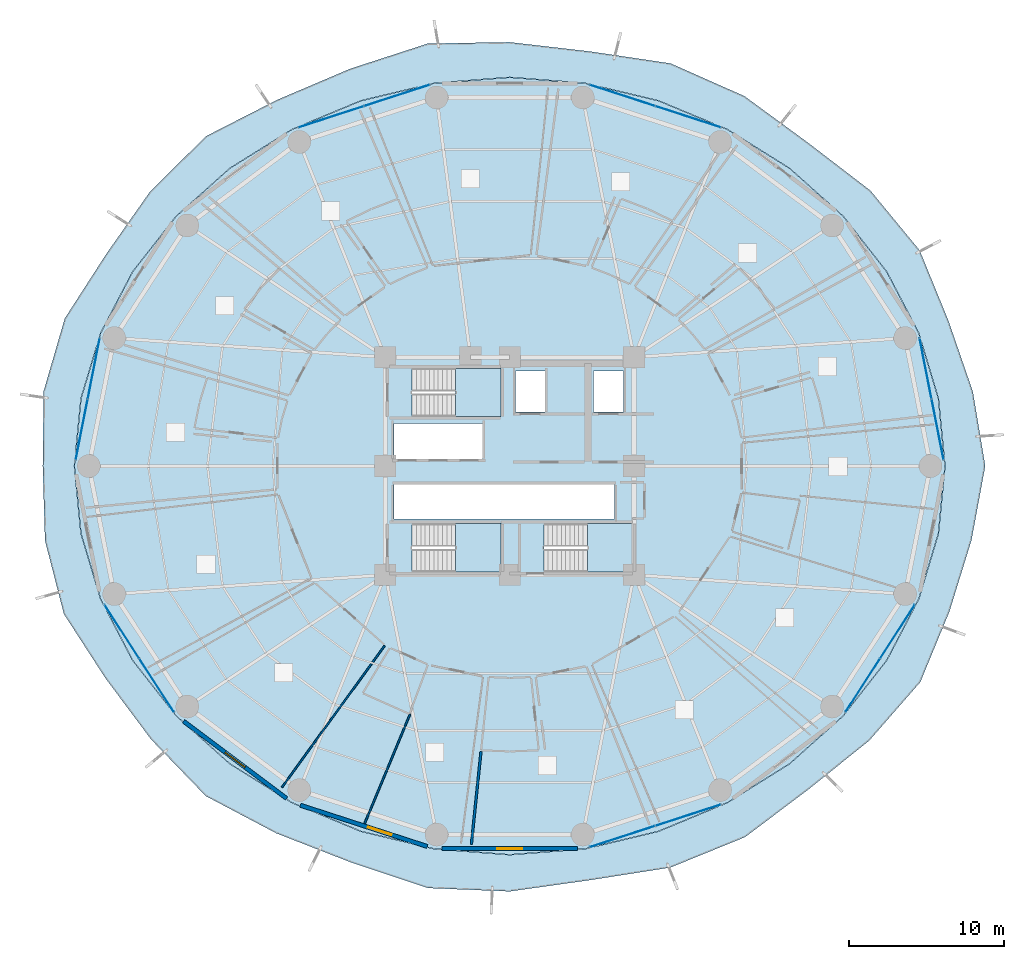
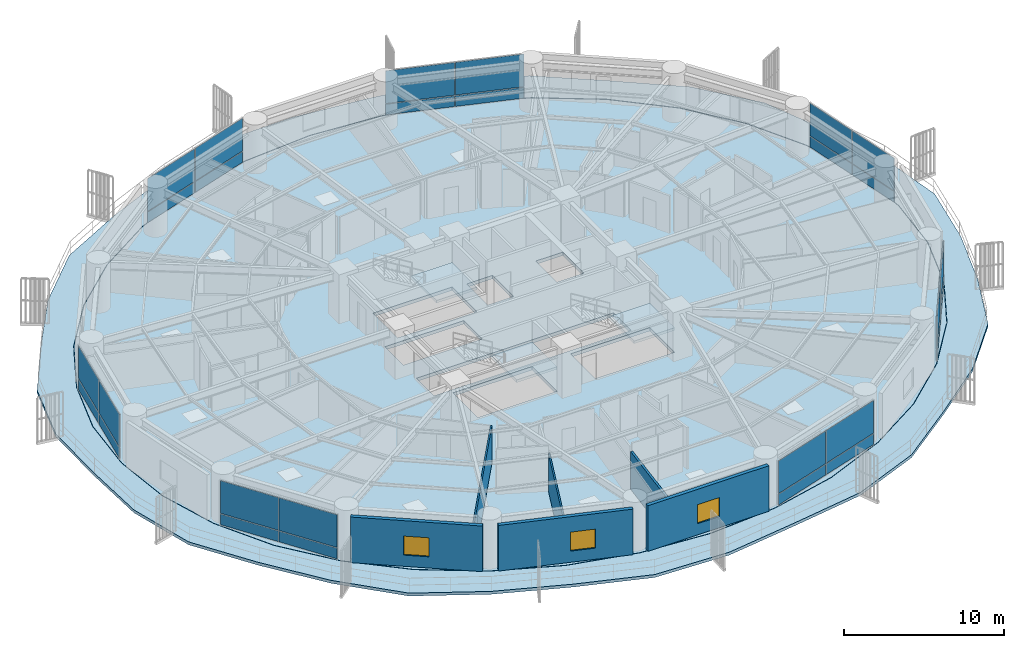
# One storey, part 22 of 32: 28 plates, 6 walls, 5 slabs, 3 windows, 3 openings, 10 elements without a shape of their own.
"""IFC4 building model written with IfcOpenShell, lengths in metres."""

import ifcopenshell
import ifcopenshell.guid

model = None  # the IFC model being written
_history = None  # IfcOwnerHistory: only IFC2X3 demands one
_inside = {}  # id of a spatial element -> (the spatial element, [elements in it])
_under = {}  # id of a project, library or spatial element -> (it, [spatial elements below it])
_declared = {}  # id of a project -> (the project, [libraries it declares])
_typed = {}  # id of a type object -> (the type object, [elements of that type])
_made_of = {}  # id of a material, layer set ... -> (it, [elements and type objects made of it])


def new_model(schema):
    """Start an empty IFC model of exactly this schema.

    Asked for "IFC4X3", IfcOpenShell would pick the latest addendum, in which some entities
    have other attributes; the version numbers below select the first issue.
    IFC2X3 requires an IfcOwnerHistory on every rooted entity: one is made here for all.
    """
    global model, _history
    if schema == "IFC4X3":
        model = ifcopenshell.file(schema_version=(4, 3, 0, 0))
    else:
        model = ifcopenshell.file(schema=schema)
    _inside.clear()
    _under.clear()
    _declared.clear()
    _typed.clear()
    _made_of.clear()
    _history = None
    if model.schema == "IFC2X3":
        org = make("IfcOrganization", Name="unknown")
        user = make(
            "IfcPersonAndOrganization",
            ThePerson=make("IfcPerson", FamilyName="unknown"),
            TheOrganization=org,
        )
        app = make(
            "IfcApplication",
            ApplicationDeveloper=org,
            Version="unknown",
            ApplicationFullName="unknown",
            ApplicationIdentifier="unknown",
        )
        _history = make(
            "IfcOwnerHistory",
            OwningUser=user,
            OwningApplication=app,
            ChangeAction="ADDED",
            CreationDate=0,
        )
    return model


def make(cls, **values):
    """One entity of the class cls with the attributes given. An attribute that is None is left unset."""
    return model.create_entity(
        cls, **{name: value for name, value in values.items() if value is not None}
    )


def rooted(cls, **values):
    """An entity with a GlobalId (a new one), such as an element, a storey or a relation."""
    return make(cls, GlobalId=ifcopenshell.guid.new(), OwnerHistory=_history, **values)


def si_unit(unit_type, name, prefix=None):
    """IfcSIUnit, for example si_unit("LENGTHUNIT", "METRE", prefix="MILLI")."""
    return make("IfcSIUnit", UnitType=unit_type, Prefix=prefix, Name=name)


def assignment(units):
    """IfcUnitAssignment: the units of a project."""
    return None if units is None else make("IfcUnitAssignment", Units=units)


def point(xyz):
    """IfcCartesianPoint."""
    return None if xyz is None else make("IfcCartesianPoint", Coordinates=xyz)


def direction(xyz):
    """IfcDirection."""
    return None if xyz is None else make("IfcDirection", DirectionRatios=xyz)


def frame(location, z_axis=None, x_axis=None):
    """IfcAxis2Placement3D, a coordinate frame: its origin and axes. An axis left out is left unset."""
    return make(
        "IfcAxis2Placement3D",
        Location=point(location),
        Axis=direction(z_axis),
        RefDirection=direction(x_axis),
    )


def frame_2d(location, x_axis=None):
    """IfcAxis2Placement2D, a coordinate frame in the plane: its origin and x axis."""
    return make(
        "IfcAxis2Placement2D", Location=point(location), RefDirection=direction(x_axis)
    )


def origin():
    """The frame at (0, 0, 0) with its axes left unset."""
    return frame((0.0, 0.0, 0.0))


def origin_2d():
    """The frame at (0, 0) in the plane with its x axis left unset."""
    return frame_2d((0.0, 0.0))


def place(relative_to, where):
    """IfcLocalPlacement: puts the frame where relative to a parent placement (None: the world)."""
    return make(
        "IfcLocalPlacement", PlacementRelTo=relative_to, RelativePlacement=where
    )


def context(
    kind, dimensions, precision=None, world=None, true_north=None, identifier=None
):
    """IfcGeometricRepresentationContext, for example the 3D "Model" context."""
    return make(
        "IfcGeometricRepresentationContext",
        ContextIdentifier=identifier,
        ContextType=kind,
        CoordinateSpaceDimension=dimensions,
        Precision=precision,
        WorldCoordinateSystem=world,
        TrueNorth=true_north,
    )


def subcontext(parent, identifier, kind, view, scale=None):
    """IfcGeometricRepresentationSubContext, for example "Body" below "Model"."""
    return make(
        "IfcGeometricRepresentationSubContext",
        ContextIdentifier=identifier,
        ContextType=kind,
        ParentContext=parent,
        TargetScale=scale,
        TargetView=view,
    )


def project(units=None, contexts=None):
    """IfcProject with its units and contexts."""
    return rooted(
        "IfcProject",
        Name="project",
        RepresentationContexts=contexts,
        UnitsInContext=assignment(units),
    )


def spatial(cls, under=None, at=None, **own):
    """A site, building, storey or space (cls), placed at a placement, below another one or the project."""
    s = rooted(cls, ObjectPlacement=at, **own)
    if under is not None:
        _under.setdefault(under.id(), (under, []))[1].append(s)
    return s


def polyline(points):
    """IfcPolyline through the points."""
    return make("IfcPolyline", Points=[point(p) for p in points])


def profile(cls, at=None, kind="AREA", **sizes):
    """A parametric profile (cls). Its sizes go by their IFC names, for example OverallWidth=200.0."""
    return make(cls, ProfileType=kind, Position=at, **sizes)


def rectangle(**sizes):
    """IfcRectangleProfileDef."""
    return profile("IfcRectangleProfileDef", **sizes)


def outline(outer, holes=None, kind="AREA"):
    """IfcArbitraryClosedProfileDef: a profile drawn as a closed curve; with holes, ...WithVoids."""
    if holes is None:
        return make("IfcArbitraryClosedProfileDef", ProfileType=kind, OuterCurve=outer)
    return make(
        "IfcArbitraryProfileDefWithVoids",
        ProfileType=kind,
        OuterCurve=outer,
        InnerCurves=holes,
    )


def extrude(swept, where, along, depth):
    """IfcExtrudedAreaSolid: the profile swept, set in the frame where, extruded along a direction by depth."""
    return make(
        "IfcExtrudedAreaSolid",
        SweptArea=swept,
        Position=where,
        ExtrudedDirection=direction(along),
        Depth=depth,
    )


def shape(context_of_items, identifier, shape_type, items):
    """IfcShapeRepresentation: the items that make up one representation, for example the "Body"."""
    return make(
        "IfcShapeRepresentation",
        ContextOfItems=context_of_items,
        RepresentationIdentifier=identifier,
        RepresentationType=shape_type,
        Items=items,
    )


def source(mapping_origin, context_of_items, identifier, shape_type, items):
    """IfcRepresentationMap: a shape defined once, which mapped items show again and again."""
    return make(
        "IfcRepresentationMap",
        MappingOrigin=mapping_origin,
        MappedRepresentation=shape(context_of_items, identifier, shape_type, items),
    )


def transform(
    local_origin,
    x_axis=None,
    y_axis=None,
    z_axis=None,
    scale=None,
    scale2=None,
    scale3=None,
    uniform=True,
):
    """IfcCartesianTransformationOperator3D, or its non-uniform kind. x_axis, y_axis, z_axis: its Axis1, 2, 3."""
    if uniform:
        return make(
            "IfcCartesianTransformationOperator3D",
            Axis1=direction(x_axis),
            Axis2=direction(y_axis),
            LocalOrigin=point(local_origin),
            Scale=scale,
            Axis3=direction(z_axis),
        )
    return make(
        "IfcCartesianTransformationOperator3DnonUniform",
        Axis1=direction(x_axis),
        Axis2=direction(y_axis),
        LocalOrigin=point(local_origin),
        Scale=scale,
        Axis3=direction(z_axis),
        Scale2=scale2,
        Scale3=scale3,
    )


def mapped(mapping_source, mapping_target):
    """IfcMappedItem: shows the shape of a source again, moved by a transform."""
    return make(
        "IfcMappedItem", MappingSource=mapping_source, MappingTarget=mapping_target
    )


def material(Name=None, Category=None):
    """IfcMaterial."""
    return make("IfcMaterial", Name=Name, Category=Category)


def layer(
    of_material, thickness, ventilated=None, Name=None, Category=None, Priority=None
):
    """IfcMaterialLayer: one layer of a wall or slab, of a material (None: an air gap)."""
    return make(
        "IfcMaterialLayer",
        Material=of_material,
        LayerThickness=thickness,
        IsVentilated=ventilated,
        Name=Name,
        Category=Category,
        Priority=Priority,
    )


def layer_set(layers, Name=None):
    """IfcMaterialLayerSet."""
    return make("IfcMaterialLayerSet", MaterialLayers=layers, LayerSetName=Name)


def made_of(thing, what):
    """Note that an element or type object is made of a material, layer set ...; save() writes the relation."""
    if what is not None:
        _made_of.setdefault(what.id(), (what, []))[1].append(thing)
    return thing


def type_object(cls, material=None, **own):
    """A type object (cls), such as IfcWallType, which elements share."""
    return made_of(rooted(cls, **own), material)


def element(
    cls,
    number,
    at=None,
    inside=None,
    cuts=None,
    type_object=None,
    material=None,
    context=None,
    identifier="Body",
    shape_type=None,
    held_by="IfcProductDefinitionShape",
    body=None,
    shapes=None,
    **own,
):
    """One element of the class cls, such as IfcWall. Its Tag is "e" and its number.

    at: its placement. inside: the storey or other place that contains it. cuts: it is an
    opening in that element (IfcRelVoidsElement). A single representation is given by context,
    identifier, shape_type and body (its items); several are given by shapes. held_by: the class
    of the entity that holds the representations. save() writes the other relations.
    """
    e = rooted(cls, Tag="e%d" % number, ObjectPlacement=at, **own)
    if body is not None:
        shapes = [shape(context, identifier, shape_type, body)]
    if shapes is not None:
        e.Representation = make(held_by, Representations=shapes)
    if inside is not None:
        _inside.setdefault(inside.id(), (inside, []))[1].append(e)
    if cuts is not None:
        rooted(
            "IfcRelVoidsElement", RelatingBuildingElement=cuts, RelatedOpeningElement=e
        )
    if type_object is not None:
        _typed.setdefault(type_object.id(), (type_object, []))[1].append(e)
    return made_of(e, material)


def fill(opening, filler):
    """IfcRelFillsElement: the door or window that sits in an opening."""
    return rooted(
        "IfcRelFillsElement",
        RelatingOpeningElement=opening,
        RelatedBuildingElement=filler,
    )


def aggregate(whole, parts):
    """IfcRelAggregates: a whole, such as a stair, and the parts it consists of."""
    return rooted("IfcRelAggregates", RelatingObject=whole, RelatedObjects=parts)


def save(model, path):
    """Write the relations noted so far, then the file.

    IfcRelAggregates (storeys below a building ...), IfcRelContainedInSpatialStructure (elements
    in a storey), IfcRelDefinesByType, IfcRelAssociatesMaterial and IfcRelDeclares: one each for
    every whole, place, type object, material and project.
    """
    for whole, parts in _under.values():
        aggregate(whole, parts)
    for where, things in _inside.values():
        rooted(
            "IfcRelContainedInSpatialStructure",
            RelatedElements=things,
            RelatingStructure=where,
        )
    for kind, things in _typed.values():
        rooted("IfcRelDefinesByType", RelatedObjects=things, RelatingType=kind)
    for what, things in _made_of.values():
        rooted("IfcRelAssociatesMaterial", RelatedObjects=things, RelatingMaterial=what)
    for by, libraries in _declared.values():
        rooted("IfcRelDeclares", RelatingContext=by, RelatedDefinitions=libraries)
    model.write(path)


model = new_model("IFC4")

# Units and contexts
model_context = context("Model", 3, precision=1e-05, world=origin(), true_north=direction((0.0, 1.0)))
body_context = subcontext(model_context, "Body", "Model", "MODEL_VIEW")
ifc_project = project(units=[si_unit("LENGTHUNIT", "METRE"), si_unit("AREAUNIT", "SQUARE_METRE"), si_unit("VOLUMEUNIT", "CUBIC_METRE"), si_unit("PLANEANGLEUNIT", "RADIAN"), si_unit("MASSUNIT", "GRAM", prefix="KILO")], contexts=[model_context])

# Site, building, storey
site_placement = place(None, origin())
site = spatial("IfcSite", under=ifc_project, at=site_placement, CompositionType="ELEMENT")
building_placement = place(site_placement, origin())
building = spatial("IfcBuilding", under=site, at=building_placement, Name="Kelanora Arch Commons", CompositionType="ELEMENT")
storey_placement = place(building_placement, frame((0.0, 0.0, 52.5)))
storey = spatial("IfcBuildingStorey", under=building, at=storey_placement, Name="L13", CompositionType="ELEMENT", Elevation=52.5)

# Stair, slab
ifc_material_1 = material(Name="Concrete C40/50", Category="concrete")
stair_type = type_object("IfcStairType", Name="STR-DL-375", PredefinedType="HALF_TURN_STAIR", material=ifc_material_1)
stair_1_placement = place(storey_placement, origin())
stair_1 = element("IfcStair", 1, at=stair_1_placement, inside=storey, type_object=stair_type, Name="L13 ST-T1", PredefinedType="HALF_TURN_STAIR")
ifc_layer_1 = layer(ifc_material_1, 0.199951171875)
ifc_layer_set_1 = layer_set([ifc_layer_1], Name="Concrete C40/50")
slab_type_1 = type_object("IfcSlabType", Name="SLB-STAIR-LND", PredefinedType="LANDING", material=ifc_layer_set_1)
slab_1_placement = place(storey_placement, frame((0.0, 0.0, 1.675048828125)))
slab_1 = element("IfcSlab", 2, at=slab_1_placement, type_object=slab_type_1, Name="ST-T1 landing 1", PredefinedType="LANDING", context=body_context, shape_type="SweptSolid", body=[
    extrude(outline(polyline([(70.52001953125, 61.179931640625), (73.43994140625, 61.179931640625), (73.43994140625, 64.2900390625), (70.52001953125, 64.2900390625), (70.52001953125, 61.179931640625)])), origin(), (0.0, 0.0, 1.0), 0.199951171875),
])
aggregate(stair_1, [slab_1])

stair_2_placement = place(storey_placement, origin())
stair_2 = element("IfcStair", 3, at=stair_2_placement, inside=storey, type_object=stair_type, Name="L13 ST-T2", PredefinedType="HALF_TURN_STAIR")
slab_2_placement = place(storey_placement, frame((0.0, 0.0, 1.675048828125)))
slab_2 = element("IfcSlab", 4, at=slab_2_placement, type_object=slab_type_1, Name="ST-T2 landing 1", PredefinedType="LANDING", context=body_context, shape_type="SweptSolid", body=[
    extrude(outline(polyline([(79.0, 51.179931640625), (81.919921875, 51.179931640625), (81.919921875, 54.2900390625), (79.0, 54.2900390625), (79.0, 51.179931640625)])), origin(), (0.0, 0.0, 1.0), 0.199951171875),
])
aggregate(stair_2, [slab_2])

stair_3_placement = place(storey_placement, origin())
stair_3 = element("IfcStair", 5, at=stair_3_placement, inside=storey, type_object=stair_type, Name="L13 ST-T3", PredefinedType="HALF_TURN_STAIR")
slab_3_placement = place(storey_placement, frame((0.0, 0.0, 1.675048828125)))
slab_3 = element("IfcSlab", 6, at=slab_3_placement, type_object=slab_type_1, Name="ST-T3 landing 1", PredefinedType="LANDING", context=body_context, shape_type="SweptSolid", body=[
    extrude(outline(polyline([(70.52001953125, 51.179931640625), (73.43994140625, 51.179931640625), (73.43994140625, 54.2900390625), (70.52001953125, 54.2900390625), (70.52001953125, 51.179931640625)])), origin(), (0.0, 0.0, 1.0), 0.199951171875),
])
aggregate(stair_3, [slab_3])

# Slabs
ifc_layer_2 = layer(ifc_material_1, 0.260009765625)
ifc_layer_set_2 = layer_set([ifc_layer_2], Name="Concrete C40/50")
slab_type_2 = type_object("IfcSlabType", Name="SLB-TWR-TYP", PredefinedType="FLOOR", material=ifc_layer_set_2)
slab_4_placement = place(storey_placement, frame((0.0, 0.0, -0.260009765625)))
element("IfcSlab", 7, at=slab_4_placement, inside=storey, type_object=slab_type_2, Name="Tower Floor Slab L13", PredefinedType="FLOOR", context=body_context, shape_type="SweptSolid", body=[
    extrude(outline(polyline([(102.0, 58.0), (101.57470703125, 62.34130859375), (100.311279296875, 66.550537109375), (98.248779296875, 70.5), (95.44921875, 74.069580078125), (91.998046875, 77.151123046875), (88.0, 79.650634765625), (83.57666015625, 81.4921875), (78.862060546875, 82.6201171875), (74.0, 83.0), (69.137939453125, 82.6201171875), (64.42333984375, 81.4921875), (60.0, 79.650634765625), (56.001953125, 77.151123046875), (52.55078125, 74.069580078125), (49.751220703125, 70.5), (47.688720703125, 66.550537109375), (46.42529296875, 62.34130859375), (46.0, 58.0), (46.42529296875, 53.65869140625), (47.688720703125, 49.449462890625), (49.751220703125, 45.5), (52.55078125, 41.930419921875), (56.001953125, 38.848876953125), (60.0, 36.349365234375), (64.42333984375, 34.5078125), (69.137939453125, 33.3798828125), (74.0, 33.0), (78.862060546875, 33.3798828125), (83.57666015625, 34.5078125), (88.0, 36.349365234375), (91.998046875, 38.848876953125), (95.44921875, 41.930419921875), (98.248779296875, 45.5), (100.311279296875, 49.449462890625), (101.57470703125, 53.65869140625), (102.0, 58.0)]), holes=[polyline([(73.431884765625, 51.18798828125), (67.72802734375, 51.18798828125), (67.72802734375, 54.281982421875), (73.431884765625, 54.281982421875), (73.431884765625, 51.18798828125)]), polyline([(76.2080078125, 51.18798828125), (76.2080078125, 54.281982421875), (81.912109375, 54.281982421875), (81.912109375, 51.18798828125), (76.2080078125, 51.18798828125)]), polyline([(66.550048828125, 54.60009765625), (66.550048828125, 56.800048828125), (80.75, 56.800048828125), (80.75, 54.60009765625), (66.550048828125, 54.60009765625)]), polyline([(66.550048828125, 58.449951171875), (66.550048828125, 60.75), (72.25, 60.75), (72.25, 58.449951171875), (66.550048828125, 58.449951171875)]), polyline([(67.72802734375, 61.18798828125), (67.72802734375, 64.281982421875), (73.431884765625, 64.281982421875), (73.431884765625, 61.18798828125), (67.72802734375, 61.18798828125)]), polyline([(74.3798828125, 61.47998046875), (74.3798828125, 64.1201171875), (76.260009765625, 64.1201171875), (76.260009765625, 61.47998046875), (74.3798828125, 61.47998046875)]), polyline([(79.3798828125, 61.47998046875), (79.3798828125, 64.1201171875), (81.320068359375, 64.1201171875), (81.320068359375, 61.47998046875), (79.3798828125, 61.47998046875)])]), origin(), (0.0, 0.0, 1.0), 0.260009765625),
])
ifc_layer_3 = layer(ifc_material_1, 0.219970703125)
ifc_layer_set_3 = layer_set([ifc_layer_3], Name="Concrete C40/50")
slab_type_3 = type_object("IfcSlabType", Name="SLB-WAVE-BAL", PredefinedType="FLOOR", material=ifc_layer_set_3)
slab_5_placement = place(storey_placement, frame((0.0, 0.0, -0.219970703125)))
element("IfcSlab", 8, at=slab_5_placement, inside=storey, type_object=slab_type_3, Name="Sinusoidal Wave Balcony Slab L13", PredefinedType="FLOOR", context=body_context, shape_type="SweptSolid", body=[
    extrude(outline(polyline([(104.595703125, 58.0), (103.802978515625, 62.78125), (102.235107421875, 67.334716796875), (100.376953125, 71.876220703125), (97.209716796875, 75.72412109375), (93.22119140625, 78.78369140625), (89.10693359375, 81.7978515625), (84.35986328125, 83.902587890625), (79.185302734375, 84.67236328125), (74.0, 85.271484375), (68.734130859375, 85.184326171875), (63.749755859375, 83.565673828125), (59.01953125, 81.552734375), (54.453125, 79.218505859375), (50.860107421875, 75.658447265625), (48.024169921875, 71.616943359375), (45.37353515625, 67.494140625), (44.011962890625, 62.81787109375), (43.955810546875, 58.0), (44.1015625, 53.199951171875), (45.315673828125, 48.482177734375), (47.983154296875, 44.356689453125), (50.929931640625, 40.406982421875), (54.443115234375, 36.76806640625), (58.98095703125, 34.372314453125), (63.772705078125, 32.50537109375), (68.7392578125, 30.848388671875), (74.0, 30.63134765625), (79.18017578125, 31.3603515625), (84.3369140625, 32.168212890625), (89.1455078125, 34.127197265625), (93.231201171875, 37.20263671875), (97.139892578125, 40.341552734375), (100.417724609375, 44.097412109375), (102.293212890625, 48.6416015625), (103.71337890625, 53.236328125), (104.595703125, 58.0)]), holes=[polyline([(101.59423828125, 53.6552734375), (100.330078125, 49.442626953125), (98.26611328125, 45.489990234375), (95.464599609375, 41.91748046875), (92.010986328125, 38.83349609375), (88.010009765625, 36.33203125), (83.58349609375, 34.489013671875), (78.865478515625, 33.360107421875), (74.0, 32.97998046875), (69.134521484375, 33.360107421875), (64.41650390625, 34.489013671875), (59.989990234375, 36.33203125), (55.989013671875, 38.83349609375), (52.535400390625, 41.91748046875), (49.73388671875, 45.489990234375), (47.669921875, 49.442626953125), (46.40576171875, 53.6552734375), (45.97998046875, 58.0), (46.40576171875, 62.3447265625), (47.669921875, 66.557373046875), (49.73388671875, 70.510009765625), (52.535400390625, 74.08251953125), (55.989013671875, 77.16650390625), (59.989990234375, 79.66796875), (64.41650390625, 81.510986328125), (69.134521484375, 82.639892578125), (74.0, 83.02001953125), (78.865478515625, 82.639892578125), (83.58349609375, 81.510986328125), (88.010009765625, 79.66796875), (92.010986328125, 77.16650390625), (95.464599609375, 74.08251953125), (98.26611328125, 70.510009765625), (100.330078125, 66.557373046875), (101.59423828125, 62.3447265625), (102.02001953125, 58.0), (101.59423828125, 53.6552734375)])]), origin(), (0.0, 0.0, 1.0), 0.219970703125),
])

# Curtain wall, plates
ifc_material_2 = material(Name="Terracotta ceramic-fritted low-E glass and aluminium", Category="masonry")
ifc_layer_4 = layer(ifc_material_2, 0.159912109375)
ifc_layer_set_4 = layer_set([ifc_layer_4], Name="Terracotta ceramic-fritted low-E glass and aluminium")
curtain_wall_type = type_object("IfcCurtainWallType", Name="CW-SYS-01", PredefinedType="NOTDEFINED", material=ifc_layer_set_4)
curtain_wall_1_placement = place(storey_placement, origin())
curtain_wall_1 = element("IfcCurtainWall", 9, at=curtain_wall_1_placement, inside=storey, type_object=curtain_wall_type, Name="Unitised Curtain Wall L13-B00", PredefinedType="NOTDEFINED")
ifc_material_3 = material(Name="Terracotta ceramic-fritted double glazing", Category="masonry")
ifc_layer_5 = layer(ifc_material_3, 0.028076171875)
ifc_layer_set_5 = layer_set([ifc_layer_5], Name="Terracotta ceramic-fritted double glazing")
plate_type = type_object("IfcPlateType", Name="CWP-FRIT", PredefinedType="CURTAIN_PANEL", material=ifc_layer_set_5)
shared_shape_1 = source(origin(), body_context, "Body", "SweptSolid", [
    extrude(rectangle(XDim=3.9482421875, YDim=0.028076171875, at=origin_2d()), origin(), (0.0, 0.0, 1.0), 0.81005859375),
])
plate_1_placement = place(storey_placement, frame((101.536865234375, 60.34521484375, 0.06005859375), z_axis=(0.0, 0.0, 1.0), x_axis=(-0.193744048498, 0.981052110579, 0.0)))
plate_1 = element("IfcPlate", 10, at=plate_1_placement, type_object=plate_type, Name="CW-01 panel 1.1", PredefinedType="CURTAIN_PANEL", context=body_context, shape_type="MappedRepresentation", body=[
    mapped(shared_shape_1, transform((0.0, 0.0, 0.0), scale=1.0)),
])
plate_2_placement = place(storey_placement, frame((100.76025390625, 64.277587890625, 0.06005859375), z_axis=(0.0, 0.0, 1.0), x_axis=(-0.193744048498, 0.981052110579, 0.0)))
plate_2 = element("IfcPlate", 11, at=plate_2_placement, type_object=plate_type, Name="CW-01 panel 2.1", PredefinedType="CURTAIN_PANEL", context=body_context, shape_type="MappedRepresentation", body=[
    mapped(shared_shape_1, transform((0.0, 0.0, 0.0), scale=1.0)),
])

curtain_wall_2_placement = place(storey_placement, origin())
curtain_wall_2 = element("IfcCurtainWall", 12, at=curtain_wall_2_placement, inside=storey, type_object=curtain_wall_type, Name="Unitised Curtain Wall L13-B08", PredefinedType="NOTDEFINED")
plate_3_placement = place(storey_placement, frame((47.23974609375, 64.277587890625, 0.06005859375), z_axis=(0.0, 0.0, 1.0), x_axis=(-0.193744048498, -0.981052110579, 0.0)))
plate_3 = element("IfcPlate", 13, at=plate_3_placement, type_object=plate_type, Name="CW-01 panel 1.1", PredefinedType="CURTAIN_PANEL", context=body_context, shape_type="MappedRepresentation", body=[
    mapped(shared_shape_1, transform((0.0, 0.0, 0.0), scale=1.0)),
])
plate_4_placement = place(storey_placement, frame((46.463134765625, 60.34521484375, 0.06005859375), z_axis=(0.0, 0.0, 1.0), x_axis=(-0.193744048498, -0.981052110579, 0.0)))
plate_4 = element("IfcPlate", 14, at=plate_4_placement, type_object=plate_type, Name="CW-01 panel 2.1", PredefinedType="CURTAIN_PANEL", context=body_context, shape_type="MappedRepresentation", body=[
    mapped(shared_shape_1, transform((0.0, 0.0, 0.0), scale=1.0)),
])

# Plate
shared_shape_2 = source(origin(), body_context, "Body", "SweptSolid", [
    extrude(rectangle(XDim=3.9482421875, YDim=0.028076171875, at=origin_2d()), origin(), (0.0, 0.0, 1.0), 2.485107421875),
])
plate_5_placement = place(storey_placement, frame((101.536865234375, 60.34521484375, 0.93017578125), z_axis=(0.0, 0.0, 1.0), x_axis=(-0.193744048498, 0.981052110579, 0.0)))
plate_5 = element("IfcPlate", 15, at=plate_5_placement, type_object=plate_type, Name="CW-01 panel 1.2", PredefinedType="CURTAIN_PANEL", context=body_context, shape_type="MappedRepresentation", body=[
    mapped(shared_shape_2, transform((0.0, 0.0, 0.0), scale=1.0)),
])

plate_6_placement = place(storey_placement, frame((100.76025390625, 64.277587890625, 0.93017578125), z_axis=(0.0, 0.0, 1.0), x_axis=(-0.193744048498, 0.981052110579, 0.0)))
plate_6 = element("IfcPlate", 16, at=plate_6_placement, type_object=plate_type, Name="CW-01 panel 2.2", PredefinedType="CURTAIN_PANEL", context=body_context, shape_type="MappedRepresentation", body=[
    mapped(shared_shape_2, transform((0.0, 0.0, 0.0), scale=1.0)),
])

aggregate(curtain_wall_1, [plate_1, plate_5, plate_2, plate_6])

plate_7_placement = place(storey_placement, frame((47.23974609375, 64.277587890625, 0.93017578125), z_axis=(0.0, 0.0, 1.0), x_axis=(-0.193744048498, -0.981052110579, 0.0)))
plate_7 = element("IfcPlate", 17, at=plate_7_placement, type_object=plate_type, Name="CW-01 panel 1.2", PredefinedType="CURTAIN_PANEL", context=body_context, shape_type="MappedRepresentation", body=[
    mapped(shared_shape_2, transform((0.0, 0.0, 0.0), scale=1.0)),
])

plate_8_placement = place(storey_placement, frame((46.463134765625, 60.34521484375, 0.93017578125), z_axis=(0.0, 0.0, 1.0), x_axis=(-0.193744048498, -0.981052110579, 0.0)))
plate_8 = element("IfcPlate", 18, at=plate_8_placement, type_object=plate_type, Name="CW-01 panel 2.2", PredefinedType="CURTAIN_PANEL", context=body_context, shape_type="MappedRepresentation", body=[
    mapped(shared_shape_2, transform((0.0, 0.0, 0.0), scale=1.0)),
])

aggregate(curtain_wall_2, [plate_3, plate_7, plate_4, plate_8])

# Curtain wall, plates
curtain_wall_3_placement = place(storey_placement, origin())
curtain_wall_3 = element("IfcCurtainWall", 19, at=curtain_wall_3_placement, inside=storey, type_object=curtain_wall_type, Name="Unitised Curtain Wall L13-B03", PredefinedType="NOTDEFINED")
shared_shape_3 = source(origin(), body_context, "Body", "SweptSolid", [
    extrude(rectangle(XDim=4.39453125, YDim=0.028076171875, at=origin_2d()), origin(), (0.0, 0.0, 1.0), 0.81005859375),
])
plate_9_placement = place(storey_placement, frame((85.4892578125, 80.466552734375, 0.06005859375), z_axis=(0.0, 0.0, 1.0), x_axis=(-0.951043326793, 0.30905758454, 0.0)))
plate_9 = element("IfcPlate", 20, at=plate_9_placement, type_object=plate_type, Name="CW-01 panel 1.1", PredefinedType="CURTAIN_PANEL", context=body_context, shape_type="MappedRepresentation", body=[
    mapped(shared_shape_3, transform((0.0, 0.0, 0.0), scale=1.0)),
])
plate_10_placement = place(storey_placement, frame((81.252685546875, 81.84326171875, 0.06005859375), z_axis=(0.0, 0.0, 1.0), x_axis=(-0.951043326793, 0.30905758454, 0.0)))
plate_10 = element("IfcPlate", 21, at=plate_10_placement, type_object=plate_type, Name="CW-01 panel 2.1", PredefinedType="CURTAIN_PANEL", context=body_context, shape_type="MappedRepresentation", body=[
    mapped(shared_shape_3, transform((0.0, 0.0, 0.0), scale=1.0)),
])

curtain_wall_4_placement = place(storey_placement, origin())
curtain_wall_4 = element("IfcCurtainWall", 22, at=curtain_wall_4_placement, inside=storey, type_object=curtain_wall_type, Name="Unitised Curtain Wall L13-B05", PredefinedType="NOTDEFINED")
plate_11_placement = place(storey_placement, frame((66.747314453125, 81.84326171875, 0.06005859375), z_axis=(0.0, 0.0, 1.0), x_axis=(-0.951043326793, -0.30905758454, 0.0)))
plate_11 = element("IfcPlate", 23, at=plate_11_placement, type_object=plate_type, Name="CW-01 panel 1.1", PredefinedType="CURTAIN_PANEL", context=body_context, shape_type="MappedRepresentation", body=[
    mapped(shared_shape_3, transform((0.0, 0.0, 0.0), scale=1.0)),
])
plate_12_placement = place(storey_placement, frame((62.5107421875, 80.466552734375, 0.06005859375), z_axis=(0.0, 0.0, 1.0), x_axis=(-0.951043326793, -0.30905758454, 0.0)))
plate_12 = element("IfcPlate", 24, at=plate_12_placement, type_object=plate_type, Name="CW-01 panel 2.1", PredefinedType="CURTAIN_PANEL", context=body_context, shape_type="MappedRepresentation", body=[
    mapped(shared_shape_3, transform((0.0, 0.0, 0.0), scale=1.0)),
])

curtain_wall_5_placement = place(storey_placement, origin())
curtain_wall_5 = element("IfcCurtainWall", 25, at=curtain_wall_5_placement, inside=storey, type_object=curtain_wall_type, Name="Unitised Curtain Wall L13-B14", PredefinedType="NOTDEFINED")
plate_13_placement = place(storey_placement, frame((81.252685546875, 34.15673828125, 0.06005859375), z_axis=(0.0, 0.0, 1.0), x_axis=(0.951043326793, 0.30905758454, 0.0)))
plate_13 = element("IfcPlate", 26, at=plate_13_placement, type_object=plate_type, Name="CW-01 panel 1.1", PredefinedType="CURTAIN_PANEL", context=body_context, shape_type="MappedRepresentation", body=[
    mapped(shared_shape_3, transform((0.0, 0.0, 0.0), scale=1.0)),
])
plate_14_placement = place(storey_placement, frame((85.4892578125, 35.533447265625, 0.06005859375), z_axis=(0.0, 0.0, 1.0), x_axis=(0.951043326793, 0.30905758454, 0.0)))
plate_14 = element("IfcPlate", 27, at=plate_14_placement, type_object=plate_type, Name="CW-01 panel 2.1", PredefinedType="CURTAIN_PANEL", context=body_context, shape_type="MappedRepresentation", body=[
    mapped(shared_shape_3, transform((0.0, 0.0, 0.0), scale=1.0)),
])

# Plate
shared_shape_4 = source(origin(), body_context, "Body", "SweptSolid", [
    extrude(rectangle(XDim=4.39453125, YDim=0.028076171875, at=origin_2d()), origin(), (0.0, 0.0, 1.0), 2.485107421875),
])
plate_15_placement = place(storey_placement, frame((85.4892578125, 80.466552734375, 0.93017578125), z_axis=(0.0, 0.0, 1.0), x_axis=(-0.951043326793, 0.30905758454, 0.0)))
plate_15 = element("IfcPlate", 28, at=plate_15_placement, type_object=plate_type, Name="CW-01 panel 1.2", PredefinedType="CURTAIN_PANEL", context=body_context, shape_type="MappedRepresentation", body=[
    mapped(shared_shape_4, transform((0.0, 0.0, 0.0), scale=1.0)),
])

plate_16_placement = place(storey_placement, frame((81.252685546875, 81.84326171875, 0.93017578125), z_axis=(0.0, 0.0, 1.0), x_axis=(-0.951043326793, 0.30905758454, 0.0)))
plate_16 = element("IfcPlate", 29, at=plate_16_placement, type_object=plate_type, Name="CW-01 panel 2.2", PredefinedType="CURTAIN_PANEL", context=body_context, shape_type="MappedRepresentation", body=[
    mapped(shared_shape_4, transform((0.0, 0.0, 0.0), scale=1.0)),
])

aggregate(curtain_wall_3, [plate_9, plate_15, plate_10, plate_16])

plate_17_placement = place(storey_placement, frame((66.747314453125, 81.84326171875, 0.93017578125), z_axis=(0.0, 0.0, 1.0), x_axis=(-0.951043326793, -0.30905758454, 0.0)))
plate_17 = element("IfcPlate", 30, at=plate_17_placement, type_object=plate_type, Name="CW-01 panel 1.2", PredefinedType="CURTAIN_PANEL", context=body_context, shape_type="MappedRepresentation", body=[
    mapped(shared_shape_4, transform((0.0, 0.0, 0.0), scale=1.0)),
])

plate_18_placement = place(storey_placement, frame((62.5107421875, 80.466552734375, 0.93017578125), z_axis=(0.0, 0.0, 1.0), x_axis=(-0.951043326793, -0.30905758454, 0.0)))
plate_18 = element("IfcPlate", 31, at=plate_18_placement, type_object=plate_type, Name="CW-01 panel 2.2", PredefinedType="CURTAIN_PANEL", context=body_context, shape_type="MappedRepresentation", body=[
    mapped(shared_shape_4, transform((0.0, 0.0, 0.0), scale=1.0)),
])

aggregate(curtain_wall_4, [plate_11, plate_17, plate_12, plate_18])

plate_19_placement = place(storey_placement, frame((81.252685546875, 34.15673828125, 0.93017578125), z_axis=(0.0, 0.0, 1.0), x_axis=(0.951043326793, 0.30905758454, 0.0)))
plate_19 = element("IfcPlate", 32, at=plate_19_placement, type_object=plate_type, Name="CW-01 panel 1.2", PredefinedType="CURTAIN_PANEL", context=body_context, shape_type="MappedRepresentation", body=[
    mapped(shared_shape_4, transform((0.0, 0.0, 0.0), scale=1.0)),
])

plate_20_placement = place(storey_placement, frame((85.4892578125, 35.533447265625, 0.93017578125), z_axis=(0.0, 0.0, 1.0), x_axis=(0.951043326793, 0.30905758454, 0.0)))
plate_20 = element("IfcPlate", 33, at=plate_20_placement, type_object=plate_type, Name="CW-01 panel 2.2", PredefinedType="CURTAIN_PANEL", context=body_context, shape_type="MappedRepresentation", body=[
    mapped(shared_shape_4, transform((0.0, 0.0, 0.0), scale=1.0)),
])

aggregate(curtain_wall_5, [plate_13, plate_19, plate_14, plate_20])

# Curtain wall, plates
curtain_wall_6_placement = place(storey_placement, origin())
curtain_wall_6 = element("IfcCurtainWall", 34, at=curtain_wall_6_placement, inside=storey, type_object=curtain_wall_type, Name="Unitised Curtain Wall L13-B10", PredefinedType="NOTDEFINED")
shared_shape_5 = source(origin(), body_context, "Body", "SweptSolid", [
    extrude(rectangle(XDim=4.06787109375, YDim=0.028076171875, at=origin_2d()), origin(), (0.0, 0.0, 1.0), 0.81005859375),
])
plate_21_placement = place(storey_placement, frame((49.04833984375, 47.346435546875, 0.06005859375), z_axis=(0.0, 0.0, 1.0), x_axis=(0.543004441812, -0.83972982332, 0.0)))
plate_21 = element("IfcPlate", 35, at=plate_21_placement, type_object=plate_type, Name="CW-01 panel 1.1", PredefinedType="CURTAIN_PANEL", context=body_context, shape_type="MappedRepresentation", body=[
    mapped(shared_shape_5, transform((0.0, 0.0, 0.0), scale=1.0)),
])
plate_22_placement = place(storey_placement, frame((51.289794921875, 43.880126953125, 0.06005859375), z_axis=(0.0, 0.0, 1.0), x_axis=(0.543004441812, -0.83972982332, 0.0)))
plate_22 = element("IfcPlate", 36, at=plate_22_placement, type_object=plate_type, Name="CW-01 panel 2.1", PredefinedType="CURTAIN_PANEL", context=body_context, shape_type="MappedRepresentation", body=[
    mapped(shared_shape_5, transform((0.0, 0.0, 0.0), scale=1.0)),
])

curtain_wall_7_placement = place(storey_placement, origin())
curtain_wall_7 = element("IfcCurtainWall", 37, at=curtain_wall_7_placement, inside=storey, type_object=curtain_wall_type, Name="Unitised Curtain Wall L13-B16", PredefinedType="NOTDEFINED")
plate_23_placement = place(storey_placement, frame((96.710205078125, 43.880126953125, 0.06005859375), z_axis=(0.0, 0.0, 1.0), x_axis=(0.543004441812, 0.83972982332, 0.0)))
plate_23 = element("IfcPlate", 38, at=plate_23_placement, type_object=plate_type, Name="CW-01 panel 1.1", PredefinedType="CURTAIN_PANEL", context=body_context, shape_type="MappedRepresentation", body=[
    mapped(shared_shape_5, transform((0.0, 0.0, 0.0), scale=1.0)),
])
plate_24_placement = place(storey_placement, frame((98.95166015625, 47.346435546875, 0.06005859375), z_axis=(0.0, 0.0, 1.0), x_axis=(0.543004441812, 0.83972982332, 0.0)))
plate_24 = element("IfcPlate", 39, at=plate_24_placement, type_object=plate_type, Name="CW-01 panel 2.1", PredefinedType="CURTAIN_PANEL", context=body_context, shape_type="MappedRepresentation", body=[
    mapped(shared_shape_5, transform((0.0, 0.0, 0.0), scale=1.0)),
])

# Plate
shared_shape_6 = source(origin(), body_context, "Body", "SweptSolid", [
    extrude(rectangle(XDim=4.06787109375, YDim=0.028076171875, at=origin_2d()), origin(), (0.0, 0.0, 1.0), 2.485107421875),
])
plate_25_placement = place(storey_placement, frame((49.04833984375, 47.346435546875, 0.93017578125), z_axis=(0.0, 0.0, 1.0), x_axis=(0.543004441812, -0.83972982332, 0.0)))
plate_25 = element("IfcPlate", 40, at=plate_25_placement, type_object=plate_type, Name="CW-01 panel 1.2", PredefinedType="CURTAIN_PANEL", context=body_context, shape_type="MappedRepresentation", body=[
    mapped(shared_shape_6, transform((0.0, 0.0, 0.0), scale=1.0)),
])

plate_26_placement = place(storey_placement, frame((51.289794921875, 43.880126953125, 0.93017578125), z_axis=(0.0, 0.0, 1.0), x_axis=(0.543004441812, -0.83972982332, 0.0)))
plate_26 = element("IfcPlate", 41, at=plate_26_placement, type_object=plate_type, Name="CW-01 panel 2.2", PredefinedType="CURTAIN_PANEL", context=body_context, shape_type="MappedRepresentation", body=[
    mapped(shared_shape_6, transform((0.0, 0.0, 0.0), scale=1.0)),
])

aggregate(curtain_wall_6, [plate_21, plate_25, plate_22, plate_26])

plate_27_placement = place(storey_placement, frame((96.710205078125, 43.880126953125, 0.93017578125), z_axis=(0.0, 0.0, 1.0), x_axis=(0.543004441812, 0.83972982332, 0.0)))
plate_27 = element("IfcPlate", 42, at=plate_27_placement, type_object=plate_type, Name="CW-01 panel 1.2", PredefinedType="CURTAIN_PANEL", context=body_context, shape_type="MappedRepresentation", body=[
    mapped(shared_shape_6, transform((0.0, 0.0, 0.0), scale=1.0)),
])

plate_28_placement = place(storey_placement, frame((98.95166015625, 47.346435546875, 0.93017578125), z_axis=(0.0, 0.0, 1.0), x_axis=(0.543004441812, 0.83972982332, 0.0)))
plate_28 = element("IfcPlate", 43, at=plate_28_placement, type_object=plate_type, Name="CW-01 panel 2.2", PredefinedType="CURTAIN_PANEL", context=body_context, shape_type="MappedRepresentation", body=[
    mapped(shared_shape_6, transform((0.0, 0.0, 0.0), scale=1.0)),
])

aggregate(curtain_wall_7, [plate_23, plate_27, plate_24, plate_28])

# Wall
ifc_material_4 = material(Name="Autoclaved aerated concrete blockwork with fire plaster", Category="masonry")
ifc_layer_6 = layer(ifc_material_4, 0.14990234375)
ifc_layer_set_6 = layer_set([ifc_layer_6], Name="Autoclaved aerated concrete blockwork with fire plaster")
wall_type_1 = type_object("IfcWallType", Name="W-COMP-150", PredefinedType="PARTITIONING", material=ifc_layer_set_6)
wall_1_placement = place(storey_placement, frame((71.5341796875, 33.65869140625, 0.0), z_axis=(0.0, 0.0, 1.0), x_axis=(0.103033712488, 0.994677864482, 0.0)))
element("IfcWall", 44, at=wall_1_placement, inside=storey, type_object=wall_type_1, Name="Co-Living Studio L13-11 Enclosure Partition 5", PredefinedType="PARTITIONING", context=body_context, shape_type="SweptSolid", body=[
    extrude(rectangle(XDim=6.00439453125, YDim=0.14990234375, at=frame_2d((3.002197265625, 0.0))), origin(), (0.0, 0.0, 1.0), 2.875),
])

# Wall, opening, window
ifc_material_5 = material(Name="Precast concrete C40/50 with terracotta rainscreen", Category="masonry")
ifc_layer_7 = layer(ifc_material_5, 0.260009765625)
ifc_layer_set_7 = layer_set([ifc_layer_7], Name="Precast concrete C40/50 with terracotta rainscreen")
wall_type_2 = type_object("IfcWallType", Name="W-EXT-TC", PredefinedType="SOLIDWALL", material=ifc_layer_set_7)
wall_2_placement = place(storey_placement, frame((53.01611328125, 41.581787109375, 0.0), z_axis=(0.0, 0.0, 1.0), x_axis=(0.80030733173, -0.599590005569, 0.0)))
wall_2 = element("IfcWall", 45, at=wall_2_placement, inside=storey, type_object=wall_type_2, Name="Terracotta Exterior Wall L13-B11", PredefinedType="SOLIDWALL", context=body_context, shape_type="SweptSolid", body=[
    extrude(rectangle(XDim=8.29052734375, YDim=0.260009765625, at=frame_2d((4.145263671875, 0.0))), origin(), (0.0, 0.0, 1.0), 3.47509765625),
])
opening_1_placement = place(wall_2_placement, frame((3.344970703125, 0.0, 0.85009765625)))
opening_1 = element("IfcOpeningElement", 46, at=opening_1_placement, cuts=wall_2, Name="Opening WN-01", PredefinedType="OPENING", context=body_context, shape_type="SweptSolid", body=[
    extrude(rectangle(XDim=1.60009765625, YDim=1.449951171875, at=frame_2d((0.800048828125, 0.72509765625))), frame((0.0, 0.14013671875, 0.0), z_axis=(0.0, -1.0, 0.0), x_axis=(1.0, 0.0, 0.0)), (0.0, 0.0, 1.0), 0.280029296875),
])
ifc_material_6 = material(Name="Terracotta-anodised aluminium frame with operable low-E glazing", Category="masonry")
window_type = type_object("IfcWindowType", Name="WIN-CL-18", PartitioningType="DOUBLE_PANEL_VERTICAL", PredefinedType="WINDOW", material=ifc_material_6)
window_1_placement = place(opening_1_placement, origin())
window_1 = element("IfcWindow", 47, at=window_1_placement, inside=storey, type_object=window_type, Name="Co-Living Operable Window L13-B11", OverallHeight=1.449951171875, OverallWidth=1.60009765625, PartitioningType="SINGLE_PANEL", PredefinedType="WINDOW", context=body_context, shape_type="SweptSolid", body=[
    extrude(rectangle(XDim=1.60009765625, YDim=1.449951171875, at=frame_2d((0.800048828125, 0.72509765625))), frame((0.0, 0.030029296875, 0.0), z_axis=(0.0, -1.0, 0.0), x_axis=(1.0, 0.0, 0.0)), (0.0, 0.0, 1.0), 0.06005859375),
])
fill(opening_1, window_1)

wall_3_placement = place(storey_placement, frame((60.5263671875, 36.178466796875, 0.0), z_axis=(0.0, 0.0, 1.0), x_axis=(0.951039914291, -0.309068085421, 0.0)))
wall_3 = element("IfcWall", 48, at=wall_3_placement, inside=storey, type_object=wall_type_2, Name="Terracotta Exterior Wall L13-B12", PredefinedType="SOLIDWALL", context=body_context, shape_type="SweptSolid", body=[
    extrude(rectangle(XDim=8.593505859375, YDim=0.260009765625, at=frame_2d((4.296875, 0.0))), origin(), (0.0, 0.0, 1.0), 3.47509765625),
])
opening_2_placement = place(wall_3_placement, frame((4.576904296875, 0.0, 0.85009765625)))
opening_2 = element("IfcOpeningElement", 49, at=opening_2_placement, cuts=wall_3, Name="Opening WN-01", PredefinedType="OPENING", context=body_context, shape_type="SweptSolid", body=[
    extrude(rectangle(XDim=1.60009765625, YDim=1.449951171875, at=frame_2d((0.800048828125, 0.72509765625))), frame((0.0, 0.14013671875, 0.0), z_axis=(0.0, -1.0, 0.0), x_axis=(1.0, 0.0, 0.0)), (0.0, 0.0, 1.0), 0.280029296875),
])
window_2_placement = place(opening_2_placement, origin())
window_2 = element("IfcWindow", 50, at=window_2_placement, inside=storey, type_object=window_type, Name="Co-Living Operable Window L13-B12", OverallHeight=1.449951171875, OverallWidth=1.60009765625, PartitioningType="SINGLE_PANEL", PredefinedType="WINDOW", context=body_context, shape_type="SweptSolid", body=[
    extrude(rectangle(XDim=1.60009765625, YDim=1.449951171875, at=frame_2d((0.800048828125, 0.72509765625))), frame((0.0, 0.030029296875, 0.0), z_axis=(0.0, -1.0, 0.0), x_axis=(1.0, 0.0, 0.0)), (0.0, 0.0, 1.0), 0.06005859375),
])
fill(opening_2, window_2)

wall_4_placement = place(storey_placement, frame((69.64404296875, 33.3798828125, 0.0), z_axis=(0.0, 0.0, 1.0), x_axis=(1.0, 0.0, 0.0)))
wall_4 = element("IfcWall", 51, at=wall_4_placement, inside=storey, type_object=wall_type_2, Name="Terracotta Exterior Wall L13-B13", PredefinedType="SOLIDWALL", context=body_context, shape_type="SweptSolid", body=[
    extrude(rectangle(XDim=8.7119140625, YDim=0.260009765625, at=frame_2d((4.35595703125, 0.0))), origin(), (0.0, 0.0, 1.0), 3.47509765625),
])
opening_3_placement = place(wall_4_placement, frame((3.555908203125, 0.0, 0.85009765625)))
opening_3 = element("IfcOpeningElement", 52, at=opening_3_placement, cuts=wall_4, Name="Opening WN-01", PredefinedType="OPENING", context=body_context, shape_type="SweptSolid", body=[
    extrude(rectangle(XDim=1.60009765625, YDim=1.449951171875, at=frame_2d((0.800048828125, 0.72509765625))), frame((0.0, 0.14013671875, 0.0), z_axis=(0.0, -1.0, 0.0), x_axis=(1.0, 0.0, 0.0)), (0.0, 0.0, 1.0), 0.280029296875),
])
window_3_placement = place(opening_3_placement, origin())
window_3 = element("IfcWindow", 53, at=window_3_placement, inside=storey, type_object=window_type, Name="Co-Living Operable Window L13-B13", OverallHeight=1.449951171875, OverallWidth=1.60009765625, PartitioningType="SINGLE_PANEL", PredefinedType="WINDOW", context=body_context, shape_type="SweptSolid", body=[
    extrude(rectangle(XDim=1.60009765625, YDim=1.449951171875, at=frame_2d((0.800048828125, 0.72509765625))), frame((0.0, 0.030029296875, 0.0), z_axis=(0.0, -1.0, 0.0), x_axis=(1.0, 0.0, 0.0)), (0.0, 0.0, 1.0), 0.06005859375),
])
fill(opening_3, window_3)

# Walls
ifc_material_7 = material(Name="Lightweight fire-rated acoustic stud partition")
ifc_layer_8 = layer(ifc_material_7, 0.10009765625)
ifc_layer_set_8 = layer_set([ifc_layer_8], Name="Lightweight fire-rated acoustic stud partition")
wall_type_3 = type_object("IfcWallType", Name="W-PART-100", PredefinedType="PARTITIONING", material=ifc_layer_set_8)
wall_5_placement = place(storey_placement, frame((65.951416015625, 46.442626953125, 0.0), z_axis=(0.0, 0.0, 1.0), x_axis=(-0.586718941426, -0.809790641939, 0.0)))
element("IfcWall", 54, at=wall_5_placement, inside=storey, type_object=wall_type_3, Name="Social Sky Lounge L13-09 Enclosure Partition 2", PredefinedType="PARTITIONING", context=body_context, shape_type="SweptSolid", body=[
    extrude(rectangle(XDim=11.248779296875, YDim=0.10009765625, at=frame_2d((5.62451171875, 0.0))), origin(), (0.0, 0.0, 1.0), 2.875),
])
wall_6_placement = place(storey_placement, frame((64.67333984375, 35.014892578125, 0.0), z_axis=(0.0, 0.0, 1.0), x_axis=(0.383188399733, 0.923670206464, 0.0)))
element("IfcWall", 55, at=wall_6_placement, inside=storey, type_object=wall_type_3, Name="Tutorial Study Alcove L13-10 Enclosure Partition 4", PredefinedType="PARTITIONING", context=body_context, shape_type="SweptSolid", body=[
    extrude(rectangle(XDim=7.619384765625, YDim=0.10009765625, at=frame_2d((3.8095703125, 0.0))), origin(), (0.0, 0.0, 1.0), 2.875),
])

save(model, "model.ifc")
